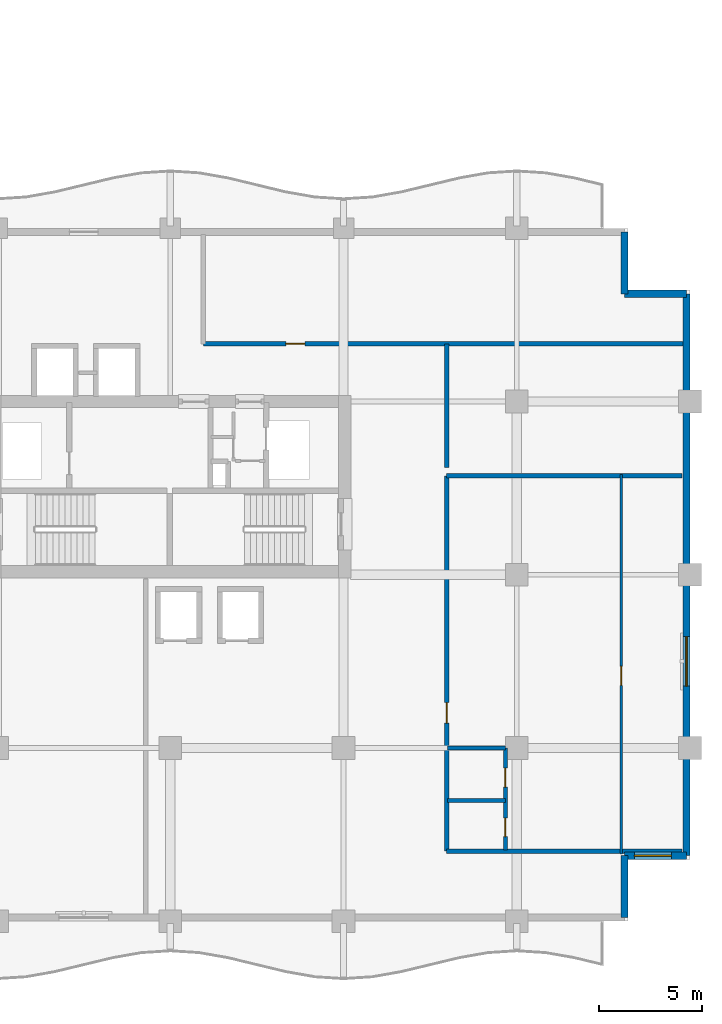
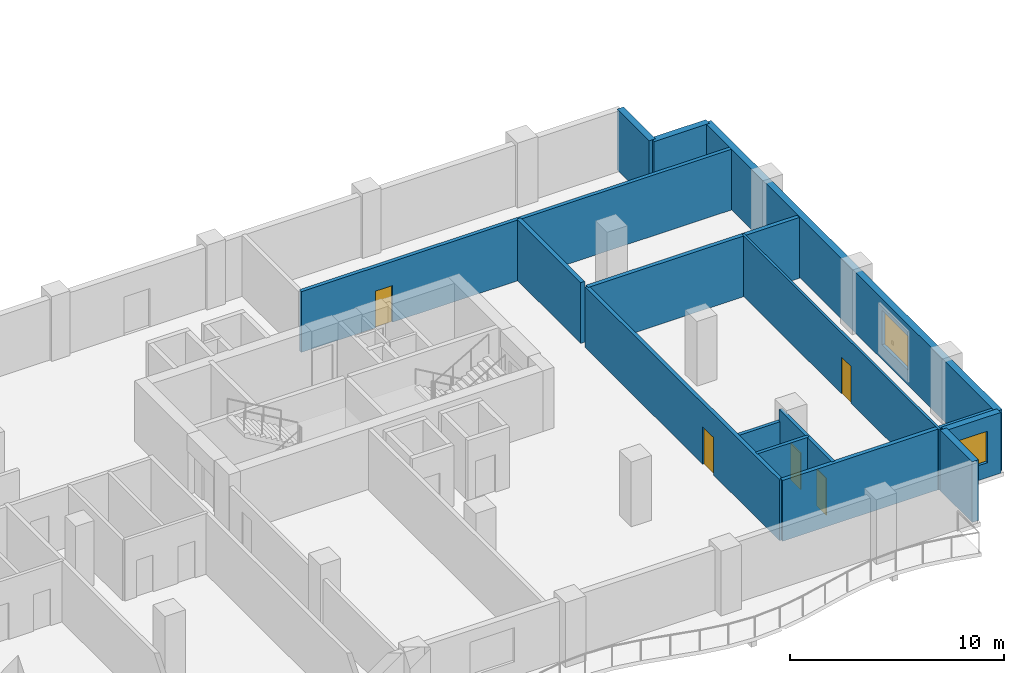
# One storey, part 11 of 18: 14 walls, 5 doors, 2 windows, 7 openings.
"""IFC4 building model written with IfcOpenShell, lengths in metres."""

from ifc_helpers import new_model, si_unit, direction, frame, frame_2d, origin, place, context, subcontext, project, spatial, rectangle, extrude, material, layer, layer_set, type_object, element, fill, save


model = new_model("IFC4")

# Units and contexts
model_context = context("Model", 3, precision=1e-05, world=origin(), true_north=direction((0.0, 1.0)))
body_context = subcontext(model_context, "Body", "Model", "MODEL_VIEW")
ifc_project = project(units=[si_unit("LENGTHUNIT", "METRE"), si_unit("AREAUNIT", "SQUARE_METRE"), si_unit("VOLUMEUNIT", "CUBIC_METRE"), si_unit("PLANEANGLEUNIT", "RADIAN"), si_unit("MASSUNIT", "GRAM", prefix="KILO")], contexts=[model_context])

# Site, building, storey
site_placement = place(None, origin())
site = spatial("IfcSite", under=ifc_project, at=site_placement, CompositionType="ELEMENT")
building_placement = place(site_placement, origin())
building = spatial("IfcBuilding", under=site, at=building_placement, Name="Koriwani Terraces Tower", CompositionType="ELEMENT")
storey_placement = place(building_placement, frame((0.0, 0.0, 205.0)))
storey = spatial("IfcBuildingStorey", under=building, at=storey_placement, Name="L50", CompositionType="ELEMENT", Elevation=205.0)

# Wall, opening, door
ifc_material_1 = material(Name="Autoclaved Cellular Concrete Blockwork", Category="masonry")
ifc_layer_1 = layer(ifc_material_1, 0.199951171875, Name="Autoclaved Cellular Concrete Blockwork")
ifc_layer_set_1 = layer_set([ifc_layer_1], Name="Autoclaved Cellular Concrete Blockwork")
wall_type_1 = type_object("IfcWallType", Name="WALL_CORRIDOR_200", PredefinedType="PARTITIONING", material=ifc_layer_set_1)
wall_1_placement = place(storey_placement, frame((63.800048828125, 3.39990234375, 0.0), z_axis=(0.0, 0.0, 1.0), x_axis=(0.0, 1.0, 0.0)))
wall_1 = element("IfcWall", 1, at=wall_1_placement, inside=storey, type_object=wall_type_1, Name="L50 Interior Wall WGB-L50-SETIP-W", PredefinedType="PARTITIONING", context=body_context, shape_type="SweptSolid", body=[
    extrude(rectangle(XDim=18.2001953125, YDim=0.199951171875, at=frame_2d((9.10009765625, 0.0))), origin(), (0.0, 0.0, 1.0), 3.469970703125),
])
opening_1_placement = place(wall_1_placement, frame((6.199951171875, 0.0, 0.0)))
opening_1 = element("IfcOpeningElement", 2, at=opening_1_placement, cuts=wall_1, Name="Opening D-05", PredefinedType="OPENING", context=body_context, shape_type="SweptSolid", body=[
    extrude(rectangle(XDim=1.0, YDim=2.14990234375, at=frame_2d((0.5, 1.074951171875))), frame((0.0, 0.10986328125, 0.0), z_axis=(0.0, -1.0, 0.0), x_axis=(1.0, 0.0, 0.0)), (0.0, 0.0, 1.0), 0.219970703125),
])
ifc_material_2 = material(Name="Architectural Oak Fire Door", Category="wood")
door_type_1 = type_object("IfcDoorType", Name="DOOR_SUITE_ENTRY_1000X2150", OperationType="NOTDEFINED", PredefinedType="DOOR", material=ifc_material_2)
door_1_placement = place(opening_1_placement, origin())
door_1 = element("IfcDoor", 3, at=door_1_placement, inside=storey, type_object=door_type_1, Name="Grand Apartment 50ET Entrance Door", OperationType="SINGLE_SWING_RIGHT", OverallHeight=2.14990234375, OverallWidth=1.0, PredefinedType="DOOR", context=body_context, shape_type="SweptSolid", body=[
    extrude(rectangle(XDim=1.0, YDim=2.14990234375, at=frame_2d((0.5, 1.074951171875))), frame((0.0, 0.02490234375, 0.0), z_axis=(0.0, -1.0, 0.0), x_axis=(1.0, 0.0, 0.0)), (0.0, 0.0, 1.0), 0.050048828125),
])
fill(opening_1, door_1)

wall_2_placement = place(storey_placement, frame((52.0, 28.0, 0.0), z_axis=(0.0, 0.0, 1.0), x_axis=(1.0, 0.0, 0.0)))
wall_2 = element("IfcWall", 4, at=wall_2_placement, inside=storey, type_object=wall_type_1, Name="L50 Interior Wall WSET2-S-L50", PredefinedType="PARTITIONING", context=body_context, shape_type="SweptSolid", body=[
    extrude(rectangle(XDim=23.25, YDim=0.199951171875, at=frame_2d((11.625, 0.0))), origin(), (0.0, 0.0, 1.0), 3.469970703125),
])
opening_2_placement = place(wall_2_placement, frame((4.0, 0.0, 0.0)))
opening_2 = element("IfcOpeningElement", 5, at=opening_2_placement, cuts=wall_2, Name="Opening D-06", PredefinedType="OPENING", context=body_context, shape_type="SweptSolid", body=[
    extrude(rectangle(XDim=0.919921875, YDim=2.10009765625, at=frame_2d((0.4599609375, 1.050048828125))), frame((0.0, 0.10986328125, 0.0), z_axis=(0.0, -1.0, 0.0), x_axis=(1.0, 0.0, 0.0)), (0.0, 0.0, 1.0), 0.219970703125),
])
door_type_2 = type_object("IfcDoorType", Name="DOOR_ROOM_INT_920X2100", OperationType="NOTDEFINED", PredefinedType="DOOR", material=ifc_material_2)
door_2_placement = place(opening_2_placement, origin())
door_2 = element("IfcDoor", 6, at=door_2_placement, inside=storey, type_object=door_type_2, Name="L50 East Court Salon Door", OperationType="SINGLE_SWING_RIGHT", OverallHeight=2.10009765625, OverallWidth=0.919921875, PredefinedType="DOOR", context=body_context, shape_type="SweptSolid", body=[
    extrude(rectangle(XDim=0.919921875, YDim=2.10009765625, at=frame_2d((0.4599609375, 1.050048828125))), frame((0.0, 0.02490234375, 0.0), z_axis=(0.0, -1.0, 0.0), x_axis=(1.0, 0.0, 0.0)), (0.0, 0.0, 1.0), 0.050048828125),
])
fill(opening_2, door_2)

# Walls
ifc_layer_2 = layer(ifc_material_1, 0.219970703125, Name="Autoclaved Cellular Concrete Blockwork")
ifc_layer_set_2 = layer_set([ifc_layer_2], Name="Autoclaved Cellular Concrete Blockwork")
wall_type_2 = type_object("IfcWallType", Name="WALL_DEMISING_220", PredefinedType="PARTITIONING", material=ifc_layer_set_2)
for number, where, z_axis, x_axis, name in (
    (7, (63.800048828125, 3.39990234375, 0.0), (0.0, 0.0, 1.0), (1.0, 0.0, 0.0), "L50 Interior Wall WGB-L50-SETIP-S"),
    (8, (63.800048828125, 21.60009765625, 0.0), (0.0, 0.0, 1.0), (1.0, 0.0, 0.0), "L50 Interior Wall WGB-L50-SETIP-N"),
):
    element("IfcWall", number, at=place(storey_placement, frame(where, z_axis=z_axis, x_axis=x_axis)), inside=storey, type_object=wall_type_2, Name=name, PredefinedType="PARTITIONING", context=body_context, shape_type="SweptSolid", body=[
        extrude(rectangle(XDim=11.419921875, YDim=0.219970703125, at=frame_2d((5.7099609375, 0.0))), origin(), (0.0, 0.0, 1.0), 3.469970703125),
    ])
wall_3_placement = place(storey_placement, frame((63.800048828125, 22.0, 0.0), z_axis=(0.0, 0.0, 1.0), x_axis=(0.0, 1.0, 0.0)))
element("IfcWall", 9, at=wall_3_placement, inside=storey, type_object=wall_type_2, Name="L50 Interior Wall WSET2-SW-L50", PredefinedType="PARTITIONING", context=body_context, shape_type="SweptSolid", body=[
    extrude(rectangle(XDim=6.0, YDim=0.219970703125, at=frame_2d((3.0, 0.0))), origin(), (0.0, 0.0, 1.0), 3.469970703125),
])
ifc_material_3 = material(Name="Concrete C50/60", Category="concrete")
ifc_layer_3 = layer(ifc_material_3, 0.35009765625, Name="Concrete C50/60")
ifc_layer_set_3 = layer_set([ifc_layer_3], Name="Concrete C50/60")
wall_type_3 = type_object("IfcWallType", Name="WALL_EXT_BRUTALIST_350", PredefinedType="STANDARD", material=ifc_layer_set_3)
for number, where, z_axis, x_axis, name in (
    (10, (72.425048828125, 33.425048828125, 0.0), (0.0, 0.0, 1.0), (0.0, -1.0, 0.0), "L50 Fair-Faced Brutalist Exterior Wall (N10)"),
    (11, (72.425048828125, 30.425048828125, 0.0), (0.0, 0.0, 1.0), (1.0, 0.0, 0.0), "L50 Fair-Faced Brutalist Exterior Wall (N11)"),
):
    element("IfcWall", number, at=place(storey_placement, frame(where, z_axis=z_axis, x_axis=x_axis)), inside=storey, type_object=wall_type_3, Name=name, PredefinedType="STANDARD", context=body_context, shape_type="SweptSolid", body=[
        extrude(rectangle(XDim=3.0, YDim=0.35009765625, at=frame_2d((1.5, 0.0))), origin(), (0.0, 0.0, 1.0), 3.469970703125),
    ])

# Wall, opening, window
wall_4_placement = place(storey_placement, frame((75.425048828125, 30.425048828125, 0.0), z_axis=(0.0, 0.0, 1.0), x_axis=(0.0, -1.0, 0.0)))
wall_4 = element("IfcWall", 12, at=wall_4_placement, inside=storey, type_object=wall_type_3, Name="L50 Fair-Faced Brutalist Exterior Wall (E_TIP)", PredefinedType="STANDARD", context=body_context, shape_type="SweptSolid", body=[
    extrude(rectangle(XDim=27.25, YDim=0.35009765625, at=frame_2d((13.625, 0.0))), origin(), (0.0, 0.0, 1.0), 3.469970703125),
])
opening_3_placement = place(wall_4_placement, frame((16.625, 0.0, 0.85009765625)))
opening_3 = element("IfcOpeningElement", 13, at=opening_3_placement, cuts=wall_4, Name="Opening W-03", PredefinedType="OPENING", context=body_context, shape_type="SweptSolid", body=[
    extrude(rectangle(XDim=2.39990234375, YDim=1.949951171875, at=frame_2d((1.199951171875, 0.97509765625))), frame((0.0, 0.18505859375, 0.0), z_axis=(0.0, -1.0, 0.0), x_axis=(1.0, 0.0, 0.0)), (0.0, 0.0, 1.0), 0.3701171875),
])
ifc_material_4 = material(Name="Tempered Laminated Low-E Glass", Category="glass")
window_type_1 = type_object("IfcWindowType", Name="WIN_RES_LIVING_2400X1950", PartitioningType="DOUBLE_PANEL_VERTICAL", PredefinedType="WINDOW", material=ifc_material_4)
window_1_placement = place(opening_3_placement, origin())
window_1 = element("IfcWindow", 14, at=window_1_placement, inside=storey, type_object=window_type_1, Name="L50 Exterior Window (E_TIP-3)", OverallHeight=1.949951171875, OverallWidth=2.39990234375, PartitioningType="SINGLE_PANEL", PredefinedType="WINDOW", context=body_context, shape_type="SweptSolid", body=[
    extrude(rectangle(XDim=2.39990234375, YDim=1.949951171875, at=frame_2d((1.199951171875, 0.97509765625))), frame((0.0, 0.030029296875, 0.0), z_axis=(0.0, -1.0, 0.0), x_axis=(1.0, 0.0, 0.0)), (0.0, 0.0, 1.0), 0.06005859375),
])
fill(opening_3, window_1)

wall_5_placement = place(storey_placement, frame((75.425048828125, 3.175048828125, 0.0), z_axis=(0.0, 0.0, 1.0), x_axis=(-1.0, 0.0, 0.0)))
wall_5 = element("IfcWall", 15, at=wall_5_placement, inside=storey, type_object=wall_type_3, Name="L50 Fair-Faced Brutalist Exterior Wall (N13)", PredefinedType="STANDARD", context=body_context, shape_type="SweptSolid", body=[
    extrude(rectangle(XDim=3.0, YDim=0.35009765625, at=frame_2d((1.5, 0.0))), origin(), (0.0, 0.0, 1.0), 3.469970703125),
])
opening_4_placement = place(wall_5_placement, frame((0.7275390625, 0.0, 0.85009765625)))
opening_4 = element("IfcOpeningElement", 16, at=opening_4_placement, cuts=wall_5, Name="Opening W-04", PredefinedType="OPENING", context=body_context, shape_type="SweptSolid", body=[
    extrude(rectangle(XDim=1.800048828125, YDim=1.800048828125, at=frame_2d((0.89990234375, 0.89990234375))), frame((0.0, 0.18505859375, 0.0), z_axis=(0.0, -1.0, 0.0), x_axis=(1.0, 0.0, 0.0)), (0.0, 0.0, 1.0), 0.3701171875),
])
window_type_2 = type_object("IfcWindowType", Name="WIN_RES_BED_1800X1800", PartitioningType="DOUBLE_PANEL_VERTICAL", PredefinedType="WINDOW", material=ifc_material_4)
window_2_placement = place(opening_4_placement, origin())
window_2 = element("IfcWindow", 17, at=window_2_placement, inside=storey, type_object=window_type_2, Name="L50 Exterior Window (N13-R54)", OverallHeight=1.800048828125, OverallWidth=1.800048828125, PartitioningType="SINGLE_PANEL", PredefinedType="WINDOW", context=body_context, shape_type="SweptSolid", body=[
    extrude(rectangle(XDim=1.800048828125, YDim=1.800048828125, at=frame_2d((0.89990234375, 0.89990234375))), frame((0.0, 0.030029296875, 0.0), z_axis=(0.0, -1.0, 0.0), x_axis=(1.0, 0.0, 0.0)), (0.0, 0.0, 1.0), 0.06005859375),
])
fill(opening_4, window_2)

# Wall
wall_6_placement = place(storey_placement, frame((72.425048828125, 3.175048828125, 0.0), z_axis=(0.0, 0.0, 1.0), x_axis=(0.0, -1.0, 0.0)))
element("IfcWall", 18, at=wall_6_placement, inside=storey, type_object=wall_type_3, Name="L50 Fair-Faced Brutalist Exterior Wall (N14)", PredefinedType="STANDARD", context=body_context, shape_type="SweptSolid", body=[
    extrude(rectangle(XDim=3.0, YDim=0.35009765625, at=frame_2d((1.5, 0.0))), origin(), (0.0, 0.0, 1.0), 3.469970703125),
])

# Wall, opening, door
ifc_material_5 = material(Name="Fire-Rated Acoustic Gypsum Partition", Category="masonry")
ifc_layer_4 = layer(ifc_material_5, 0.125, Name="Fire-Rated Acoustic Gypsum Partition")
ifc_layer_set_4 = layer_set([ifc_layer_4], Name="Fire-Rated Acoustic Gypsum Partition")
wall_type_4 = type_object("IfcWallType", Name="WALL_INT_125", PredefinedType="PARTITIONING", material=ifc_layer_set_4)
wall_7_placement = place(storey_placement, frame((72.27001953125, 3.25, 0.0), z_axis=(0.0, 0.0, 1.0), x_axis=(0.0, 1.0, 0.0)))
wall_7 = element("IfcWall", 19, at=wall_7_placement, inside=storey, type_object=wall_type_4, Name="L50 Interior Wall WGB-L50-SETIP-BD", PredefinedType="PARTITIONING", context=body_context, shape_type="SweptSolid", body=[
    extrude(rectangle(XDim=18.39990234375, YDim=0.125, at=frame_2d((9.199951171875, 0.0))), origin(), (0.0, 0.0, 1.0), 3.469970703125),
])
opening_5_placement = place(wall_7_placement, frame((8.18994140625, 0.0, 0.0)))
opening_5 = element("IfcOpeningElement", 20, at=opening_5_placement, cuts=wall_7, Name="Opening D-06", PredefinedType="OPENING", context=body_context, shape_type="SweptSolid", body=[
    extrude(rectangle(XDim=0.919921875, YDim=2.10009765625, at=frame_2d((0.4599609375, 1.050048828125))), frame((0.0, 0.072509765625, 0.0), z_axis=(0.0, -1.0, 0.0), x_axis=(1.0, 0.0, 0.0)), (0.0, 0.0, 1.0), 0.14501953125),
])
door_3_placement = place(opening_5_placement, origin())
door_3 = element("IfcDoor", 21, at=door_3_placement, inside=storey, type_object=door_type_2, Name="Grand Apartment 50ET Master Suite Door", OperationType="SINGLE_SWING_LEFT", OverallHeight=2.10009765625, OverallWidth=0.919921875, PredefinedType="DOOR", context=body_context, shape_type="SweptSolid", body=[
    extrude(rectangle(XDim=0.919921875, YDim=2.10009765625, at=frame_2d((0.4599609375, 1.050048828125))), frame((0.0, 0.02490234375, 0.0), z_axis=(0.0, -1.0, 0.0), x_axis=(1.0, 0.0, 0.0)), (0.0, 0.0, 1.0), 0.050048828125),
])
fill(opening_5, door_3)

# Wall, openings, doors
ifc_layer_5 = layer(ifc_material_5, 0.179931640625, Name="Fire-Rated Acoustic Gypsum Partition")
ifc_layer_set_5 = layer_set([ifc_layer_5], Name="Fire-Rated Acoustic Gypsum Partition")
wall_type_5 = type_object("IfcWallType", Name="WALL_PLUMBING_180", PredefinedType="PLUMBINGWALL", material=ifc_layer_set_5)
wall_8_placement = place(storey_placement, frame((66.64990234375, 3.449951171875, 0.0), z_axis=(0.0, 0.0, 1.0), x_axis=(0.0, 1.0, 0.0)))
wall_8 = element("IfcWall", 22, at=wall_8_placement, inside=storey, type_object=wall_type_5, Name="L50 Interior Wall WGB-L50-SETIP-SVB", PredefinedType="PLUMBINGWALL", context=body_context, shape_type="SweptSolid", body=[
    extrude(rectangle(XDim=4.949951171875, YDim=0.179931640625, at=frame_2d((2.47509765625, 0.0))), origin(), (0.0, 0.0, 1.0), 3.469970703125),
])
opening_6_placement = place(wall_8_placement, frame((0.64990234375, 0.0, 0.0)))
opening_6 = element("IfcOpeningElement", 23, at=opening_6_placement, cuts=wall_8, Name="Opening D-07", PredefinedType="OPENING", context=body_context, shape_type="SweptSolid", body=[
    extrude(rectangle(XDim=0.89990234375, YDim=2.10009765625, at=frame_2d((0.449951171875, 1.050048828125))), frame((0.0, 0.10009765625, 0.0), z_axis=(0.0, -1.0, 0.0), x_axis=(1.0, 0.0, 0.0)), (0.0, 0.0, 1.0), 0.199951171875),
])
opening_7_placement = place(wall_8_placement, frame((3.050048828125, 0.0, 0.0)))
opening_7 = element("IfcOpeningElement", 24, at=opening_7_placement, cuts=wall_8, Name="Opening D-06", PredefinedType="OPENING", context=body_context, shape_type="SweptSolid", body=[
    extrude(rectangle(XDim=0.919921875, YDim=2.10009765625, at=frame_2d((0.4599609375, 1.050048828125))), frame((0.0, 0.10009765625, 0.0), z_axis=(0.0, -1.0, 0.0), x_axis=(1.0, 0.0, 0.0)), (0.0, 0.0, 1.0), 0.199951171875),
])
door_type_3 = type_object("IfcDoorType", Name="DOOR_BATH_INT_900X2100", OperationType="NOTDEFINED", PredefinedType="DOOR", material=ifc_material_2)
door_4_placement = place(opening_6_placement, origin())
door_4 = element("IfcDoor", 25, at=door_4_placement, inside=storey, type_object=door_type_3, Name="Grand Apartment 50ET Bathroom Door", OperationType="SINGLE_SWING_LEFT", OverallHeight=2.10009765625, OverallWidth=0.89990234375, PredefinedType="DOOR", context=body_context, shape_type="SweptSolid", body=[
    extrude(rectangle(XDim=0.89990234375, YDim=2.10009765625, at=frame_2d((0.449951171875, 1.050048828125))), frame((0.0, 0.02490234375, 0.0), z_axis=(0.0, -1.0, 0.0), x_axis=(1.0, 0.0, 0.0)), (0.0, 0.0, 1.0), 0.050048828125),
])
fill(opening_6, door_4)
door_5_placement = place(opening_7_placement, origin())
door_5 = element("IfcDoor", 26, at=door_5_placement, inside=storey, type_object=door_type_2, Name="Grand Apartment 50ET Kitchen Door", OperationType="SINGLE_SWING_RIGHT", OverallHeight=2.10009765625, OverallWidth=0.919921875, PredefinedType="DOOR", context=body_context, shape_type="SweptSolid", body=[
    extrude(rectangle(XDim=0.919921875, YDim=2.10009765625, at=frame_2d((0.4599609375, 1.050048828125))), frame((0.0, 0.02490234375, 0.0), z_axis=(0.0, -1.0, 0.0), x_axis=(1.0, 0.0, 0.0)), (0.0, 0.0, 1.0), 0.050048828125),
])
fill(opening_7, door_5)

# Walls
wall_9_placement = place(storey_placement, frame((63.85009765625, 5.85009765625, 0.0), z_axis=(0.0, 0.0, 1.0), x_axis=(1.0, 0.0, 0.0)))
element("IfcWall", 27, at=wall_9_placement, inside=storey, type_object=wall_type_5, Name="L50 Interior Wall WGB-L50-SETIP-SVM", PredefinedType="PLUMBINGWALL", context=body_context, shape_type="SweptSolid", body=[
    extrude(rectangle(XDim=2.7998046875, YDim=0.179931640625, at=frame_2d((1.39990234375, 0.0))), origin(), (0.0, 0.0, 1.0), 3.469970703125),
])
wall_10_placement = place(storey_placement, frame((63.85009765625, 8.39990234375, 0.0), z_axis=(0.0, 0.0, 1.0), x_axis=(1.0, 0.0, 0.0)))
element("IfcWall", 28, at=wall_10_placement, inside=storey, type_object=wall_type_5, Name="L50 Interior Wall WGB-L50-SETIP-SV2", PredefinedType="PLUMBINGWALL", context=body_context, shape_type="SweptSolid", body=[
    extrude(rectangle(XDim=2.7998046875, YDim=0.179931640625, at=frame_2d((1.39990234375, 0.0))), origin(), (0.0, 0.0, 1.0), 2.820068359375),
])

save(model, "model.ifc")
